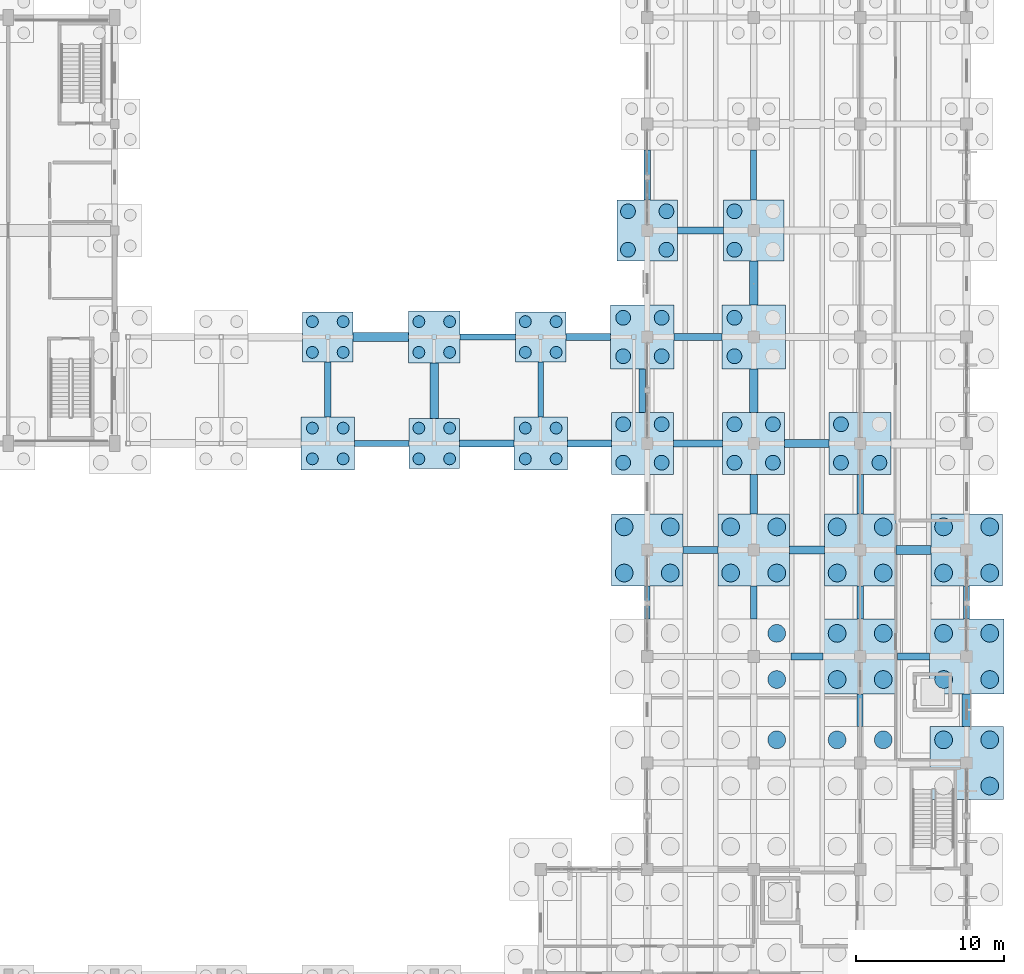
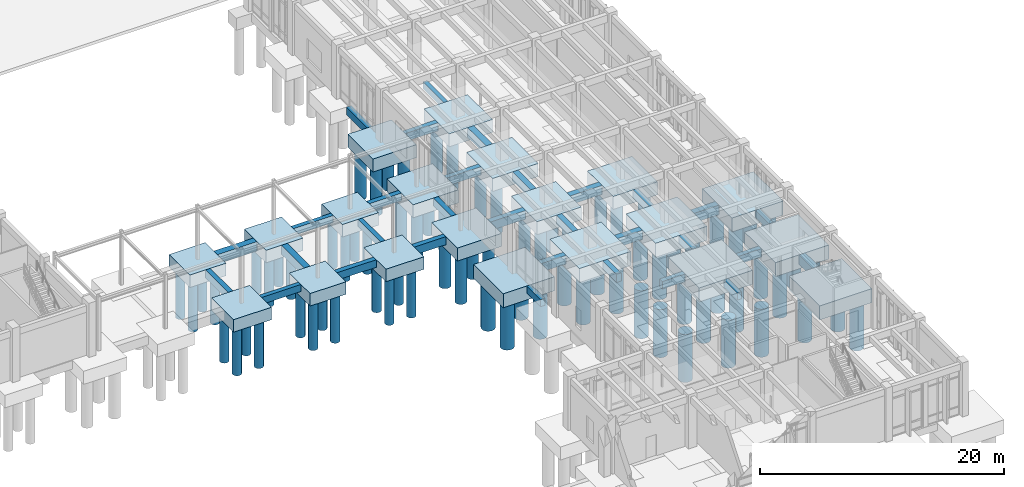
# One storey, part 9 of 93: 79 piles, 51 footings.
"""IFC4 building model written with IfcOpenShell, lengths in metres."""

from ifc_helpers import new_model, si_unit, direction, frame, origin, origin_2d, place, context, subcontext, project, spatial, rectangle, circle, extrude, material, material_profile, profile_set, type_object, element, save


model = new_model("IFC4")

# Units and contexts
model_context = context("Model", 3, precision=1e-05, world=origin(), true_north=direction((0.0, 1.0)))
body_context = subcontext(model_context, "Body", "Model", "MODEL_VIEW")
ifc_project = project(units=[si_unit("LENGTHUNIT", "METRE"), si_unit("AREAUNIT", "SQUARE_METRE"), si_unit("VOLUMEUNIT", "CUBIC_METRE"), si_unit("PLANEANGLEUNIT", "RADIAN"), si_unit("MASSUNIT", "GRAM", prefix="KILO")], contexts=[model_context])

# Site, building, storey
site_placement = place(None, origin())
site = spatial("IfcSite", under=ifc_project, at=site_placement, CompositionType="ELEMENT")
building_placement = place(site_placement, origin())
building = spatial("IfcBuilding", under=site, at=building_placement, Name="Koriwan Promenade Central Fire Station", CompositionType="ELEMENT")
storey_placement = place(building_placement, origin())
storey = spatial("IfcBuildingStorey", under=building, at=storey_placement, Name="L00", CompositionType="ELEMENT", Elevation=0.0)

# Piles
ifc_material = material(Name="Concrete C35/45", Category="concrete")
ifc_material_profile_1 = material_profile(ifc_material, circle(Radius=0.5, at=origin_2d()), Name="PILE-D1000")
ifc_profile_set_1 = profile_set([ifc_material_profile_1], Name="Concrete C35/45")
pile_type_1 = type_object("IfcPileType", Name="BoredPile_1000", PredefinedType="BORED", material=ifc_profile_set_1)
for number, where, z_axis, x_axis, name in (
    (1, (149.574951171875, 41.89990234375, -1.14990234375), (0.0, 0.0, -1.0), (1.0, 0.0, 0.0), "Bored pile PCAP_172-11"),
    (2, (149.574951171875, 44.5, -1.14990234375), (0.0, 0.0, -1.0), (1.0, 0.0, 0.0), "Bored pile PCAP_172-12"),
    (3, (152.175048828125, 41.89990234375, -1.14990234375), (0.0, 0.0, -1.0), (1.0, 0.0, 0.0), "Bored pile PCAP_172-21"),
    (4, (152.175048828125, 44.5, -1.14990234375), (0.0, 0.0, -1.0), (1.0, 0.0, 0.0), "Bored pile PCAP_172-22"),
    (5, (149.574951171875, 49.10009765625, -1.14990234375), (0.0, 0.0, -1.0), (1.0, 0.0, 0.0), "Bored pile PCAP_173-11"),
    (6, (149.574951171875, 51.699951171875, -1.14990234375), (0.0, 0.0, -1.0), (1.0, 0.0, 0.0), "Bored pile PCAP_173-12"),
    (7, (152.175048828125, 49.10009765625, -1.14990234375), (0.0, 0.0, -1.0), (1.0, 0.0, 0.0), "Bored pile PCAP_173-21"),
    (8, (152.175048828125, 51.699951171875, -1.14990234375), (0.0, 0.0, -1.0), (1.0, 0.0, 0.0), "Bored pile PCAP_173-22"),
    (9, (149.89990234375, 56.300048828125, -1.14990234375), (0.0, 0.0, -1.0), (1.0, 0.0, 0.0), "Bored pile PCAP_174-11"),
    (10, (149.89990234375, 58.89990234375, -1.14990234375), (0.0, 0.0, -1.0), (1.0, 0.0, 0.0), "Bored pile PCAP_174-12"),
    (11, (152.5, 56.300048828125, -1.14990234375), (0.0, 0.0, -1.0), (1.0, 0.0, 0.0), "Bored pile PCAP_174-21"),
    (12, (152.5, 58.89990234375, -1.14990234375), (0.0, 0.0, -1.0), (1.0, 0.0, 0.0), "Bored pile PCAP_174-22"),
    (13, (157.10009765625, 41.89990234375, -1.14990234375), (0.0, 0.0, -1.0), (1.0, 0.0, 0.0), "Bored pile PCAP_184-11"),
    (14, (157.10009765625, 44.5, -1.14990234375), (0.0, 0.0, -1.0), (1.0, 0.0, 0.0), "Bored pile PCAP_184-12"),
    (15, (159.699951171875, 41.89990234375, -1.14990234375), (0.0, 0.0, -1.0), (1.0, 0.0, 0.0), "Bored pile PCAP_184-21"),
    (16, (159.699951171875, 44.5, -1.14990234375), (0.0, 0.0, -1.0), (1.0, 0.0, 0.0), "Bored pile PCAP_184-22"),
    (17, (157.10009765625, 49.10009765625, -1.14990234375), (0.0, 0.0, -1.0), (1.0, 0.0, 0.0), "Bored pile PCAP_185-11"),
    (18, (157.10009765625, 51.699951171875, -1.14990234375), (0.0, 0.0, -1.0), (1.0, 0.0, 0.0), "Bored pile PCAP_185-12"),
    (19, (157.10009765625, 56.300048828125, -1.14990234375), (0.0, 0.0, -1.0), (1.0, 0.0, 0.0), "Bored pile PCAP_186-11"),
    (20, (157.10009765625, 58.89990234375, -1.14990234375), (0.0, 0.0, -1.0), (1.0, 0.0, 0.0), "Bored pile PCAP_186-12"),
    (21, (164.300048828125, 41.89990234375, -1.14990234375), (0.0, 0.0, -1.0), (1.0, 0.0, 0.0), "Bored pile PCAP_196-11"),
    (22, (164.300048828125, 44.5, -1.14990234375), (0.0, 0.0, -1.0), (1.0, 0.0, 0.0), "Bored pile PCAP_196-12"),
    (23, (166.89990234375, 41.89990234375, -1.14990234375), (0.0, 0.0, -1.0), (1.0, 0.0, 0.0), "Bored pile PCAP_196-21"),
):
    element("IfcPile", number, at=place(storey_placement, frame(where, z_axis=z_axis, x_axis=x_axis)), inside=storey, type_object=pile_type_1, Name=name, PredefinedType="BORED", context=body_context, shape_type="SweptSolid", body=[
        extrude(circle(Radius=0.5, at=origin_2d()), origin(), (0.0, 0.0, 1.0), 4.89990234375),
    ])
ifc_material_profile_2 = material_profile(ifc_material, circle(Radius=0.60009765625, at=origin_2d()), Name="PILE-D1200")
ifc_profile_set_2 = profile_set([ifc_material_profile_2], Name="Concrete C35/45")
pile_type_2 = type_object("IfcPileType", Name="BoredPile_1200", PredefinedType="BORED", material=ifc_profile_set_2)
for number, where, z_axis, x_axis, name in (
    (24, (149.639892578125, 34.43994140625, -1.25), (0.0, 0.0, -1.0), (1.0, 0.0, 0.0), "Bored pile PCAP_171-11"),
    (25, (149.639892578125, 37.56005859375, -1.25), (0.0, 0.0, -1.0), (1.0, 0.0, 0.0), "Bored pile PCAP_171-12"),
    (26, (152.760009765625, 34.43994140625, -1.25), (0.0, 0.0, -1.0), (1.0, 0.0, 0.0), "Bored pile PCAP_171-21"),
    (27, (152.760009765625, 37.56005859375, -1.25), (0.0, 0.0, -1.0), (1.0, 0.0, 0.0), "Bored pile PCAP_171-22"),
    (28, (159.9599609375, 23.159912109375, -1.25), (0.0, 0.0, -1.0), (1.0, 0.0, 0.0), "Bored pile PCAP_181-22"),
    (29, (159.9599609375, 27.239990234375, -1.25), (0.0, 0.0, -1.0), (1.0, 0.0, 0.0), "Bored pile PCAP_182-21"),
    (30, (159.9599609375, 30.360107421875, -1.25), (0.0, 0.0, -1.0), (1.0, 0.0, 0.0), "Bored pile PCAP_182-22"),
    (31, (156.840087890625, 34.43994140625, -1.25), (0.0, 0.0, -1.0), (1.0, 0.0, 0.0), "Bored pile PCAP_183-11"),
    (32, (156.840087890625, 37.56005859375, -1.25), (0.0, 0.0, -1.0), (1.0, 0.0, 0.0), "Bored pile PCAP_183-12"),
    (33, (159.9599609375, 34.43994140625, -1.25), (0.0, 0.0, -1.0), (1.0, 0.0, 0.0), "Bored pile PCAP_183-21"),
    (34, (159.9599609375, 37.56005859375, -1.25), (0.0, 0.0, -1.0), (1.0, 0.0, 0.0), "Bored pile PCAP_183-22"),
    (35, (164.0400390625, 23.159912109375, -1.25), (0.0, 0.0, -1.0), (1.0, 0.0, 0.0), "Bored pile PCAP_193-12"),
    (36, (167.159912109375, 23.159912109375, -1.25), (0.0, 0.0, -1.0), (1.0, 0.0, 0.0), "Bored pile PCAP_193-22"),
    (37, (164.0400390625, 27.239990234375, -1.25), (0.0, 0.0, -1.0), (1.0, 0.0, 0.0), "Bored pile PCAP_194-11"),
    (38, (164.0400390625, 30.360107421875, -1.25), (0.0, 0.0, -1.0), (1.0, 0.0, 0.0), "Bored pile PCAP_194-12"),
    (39, (167.159912109375, 27.239990234375, -1.25), (0.0, 0.0, -1.0), (1.0, 0.0, 0.0), "Bored pile PCAP_194-21"),
    (40, (167.159912109375, 30.360107421875, -1.25), (0.0, 0.0, -1.0), (1.0, 0.0, 0.0), "Bored pile PCAP_194-22"),
    (41, (164.0400390625, 34.43994140625, -1.25), (0.0, 0.0, -1.0), (1.0, 0.0, 0.0), "Bored pile PCAP_195-11"),
    (42, (164.0400390625, 37.56005859375, -1.25), (0.0, 0.0, -1.0), (1.0, 0.0, 0.0), "Bored pile PCAP_195-12"),
    (43, (167.159912109375, 34.43994140625, -1.25), (0.0, 0.0, -1.0), (1.0, 0.0, 0.0), "Bored pile PCAP_195-21"),
    (44, (167.159912109375, 37.56005859375, -1.25), (0.0, 0.0, -1.0), (1.0, 0.0, 0.0), "Bored pile PCAP_195-22"),
    (45, (171.239990234375, 23.159912109375, -1.25), (0.0, 0.0, -1.0), (1.0, 0.0, 0.0), "Bored pile PCAP_205-12"),
    (46, (174.360107421875, 20.0400390625, -1.25), (0.0, 0.0, -1.0), (1.0, 0.0, 0.0), "Bored pile PCAP_205-21"),
    (47, (174.360107421875, 23.159912109375, -1.25), (0.0, 0.0, -1.0), (1.0, 0.0, 0.0), "Bored pile PCAP_205-22"),
    (48, (171.239990234375, 27.239990234375, -1.25), (0.0, 0.0, -1.0), (1.0, 0.0, 0.0), "Bored pile PCAP_206-11"),
    (49, (171.239990234375, 30.360107421875, -1.25), (0.0, 0.0, -1.0), (1.0, 0.0, 0.0), "Bored pile PCAP_206-12"),
    (50, (174.360107421875, 27.239990234375, -1.25), (0.0, 0.0, -1.0), (1.0, 0.0, 0.0), "Bored pile PCAP_206-21"),
    (51, (174.360107421875, 30.360107421875, -1.25), (0.0, 0.0, -1.0), (1.0, 0.0, 0.0), "Bored pile PCAP_206-22"),
    (52, (171.239990234375, 34.43994140625, -1.25), (0.0, 0.0, -1.0), (1.0, 0.0, 0.0), "Bored pile PCAP_207-11"),
    (53, (171.239990234375, 37.56005859375, -1.25), (0.0, 0.0, -1.0), (1.0, 0.0, 0.0), "Bored pile PCAP_207-12"),
    (54, (174.360107421875, 34.43994140625, -1.25), (0.0, 0.0, -1.0), (1.0, 0.0, 0.0), "Bored pile PCAP_207-21"),
    (55, (174.360107421875, 37.56005859375, -1.25), (0.0, 0.0, -1.0), (1.0, 0.0, 0.0), "Bored pile PCAP_207-22"),
):
    element("IfcPile", number, at=place(storey_placement, frame(where, z_axis=z_axis, x_axis=x_axis)), inside=storey, type_object=pile_type_2, Name=name, PredefinedType="BORED", context=body_context, shape_type="SweptSolid", body=[
        extrude(circle(Radius=0.60009765625, at=origin_2d()), origin(), (0.0, 0.0, 1.0), 4.800048828125),
    ])
ifc_material_profile_3 = material_profile(ifc_material, circle(Radius=0.39990234375, at=origin_2d()), Name="PILE-D800")
ifc_profile_set_3 = profile_set([ifc_material_profile_3], Name="Concrete C35/45")
pile_type_3 = type_object("IfcPileType", Name="BoredPile_800", PredefinedType="BORED", material=ifc_profile_set_3)
for number, where, z_axis, x_axis, name in (
    (56, (128.56005859375, 42.159912109375, -1.10009765625), (0.0, 0.0, -1.0), (1.0, 0.0, 0.0), "Bored pile PCAP_155-11"),
    (57, (128.56005859375, 44.239990234375, -1.10009765625), (0.0, 0.0, -1.0), (1.0, 0.0, 0.0), "Bored pile PCAP_155-12"),
    (58, (130.639892578125, 42.159912109375, -1.10009765625), (0.0, 0.0, -1.0), (1.0, 0.0, 0.0), "Bored pile PCAP_155-21"),
    (59, (130.639892578125, 44.239990234375, -1.10009765625), (0.0, 0.0, -1.0), (1.0, 0.0, 0.0), "Bored pile PCAP_155-22"),
    (60, (128.56005859375, 49.360107421875, -1.10009765625), (0.0, 0.0, -1.0), (1.0, 0.0, 0.0), "Bored pile PCAP_156-11"),
    (61, (128.56005859375, 51.43994140625, -1.10009765625), (0.0, 0.0, -1.0), (1.0, 0.0, 0.0), "Bored pile PCAP_156-12"),
    (62, (130.639892578125, 49.360107421875, -1.10009765625), (0.0, 0.0, -1.0), (1.0, 0.0, 0.0), "Bored pile PCAP_156-21"),
    (63, (130.639892578125, 51.43994140625, -1.10009765625), (0.0, 0.0, -1.0), (1.0, 0.0, 0.0), "Bored pile PCAP_156-22"),
    (64, (135.760009765625, 42.159912109375, -1.10009765625), (0.0, 0.0, -1.0), (1.0, 0.0, 0.0), "Bored pile PCAP_159-11"),
    (65, (135.760009765625, 44.239990234375, -1.10009765625), (0.0, 0.0, -1.0), (1.0, 0.0, 0.0), "Bored pile PCAP_159-12"),
    (66, (137.840087890625, 42.159912109375, -1.10009765625), (0.0, 0.0, -1.0), (1.0, 0.0, 0.0), "Bored pile PCAP_159-21"),
    (67, (137.840087890625, 44.239990234375, -1.10009765625), (0.0, 0.0, -1.0), (1.0, 0.0, 0.0), "Bored pile PCAP_159-22"),
    (68, (135.760009765625, 49.360107421875, -1.10009765625), (0.0, 0.0, -1.0), (1.0, 0.0, 0.0), "Bored pile PCAP_160-11"),
    (69, (135.760009765625, 51.43994140625, -1.10009765625), (0.0, 0.0, -1.0), (1.0, 0.0, 0.0), "Bored pile PCAP_160-12"),
    (70, (137.840087890625, 49.360107421875, -1.10009765625), (0.0, 0.0, -1.0), (1.0, 0.0, 0.0), "Bored pile PCAP_160-21"),
    (71, (137.840087890625, 51.43994140625, -1.10009765625), (0.0, 0.0, -1.0), (1.0, 0.0, 0.0), "Bored pile PCAP_160-22"),
    (72, (142.9599609375, 42.159912109375, -1.10009765625), (0.0, 0.0, -1.0), (1.0, 0.0, 0.0), "Bored pile PCAP_164-11"),
    (73, (142.9599609375, 44.239990234375, -1.10009765625), (0.0, 0.0, -1.0), (1.0, 0.0, 0.0), "Bored pile PCAP_164-12"),
    (74, (145.0400390625, 42.159912109375, -1.10009765625), (0.0, 0.0, -1.0), (1.0, 0.0, 0.0), "Bored pile PCAP_164-21"),
    (75, (145.0400390625, 44.239990234375, -1.10009765625), (0.0, 0.0, -1.0), (1.0, 0.0, 0.0), "Bored pile PCAP_164-22"),
    (76, (142.9599609375, 49.360107421875, -1.10009765625), (0.0, 0.0, -1.0), (1.0, 0.0, 0.0), "Bored pile PCAP_165-11"),
    (77, (142.9599609375, 51.43994140625, -1.10009765625), (0.0, 0.0, -1.0), (1.0, 0.0, 0.0), "Bored pile PCAP_165-12"),
    (78, (145.0400390625, 49.360107421875, -1.10009765625), (0.0, 0.0, -1.0), (1.0, 0.0, 0.0), "Bored pile PCAP_165-21"),
    (79, (145.0400390625, 51.43994140625, -1.10009765625), (0.0, 0.0, -1.0), (1.0, 0.0, 0.0), "Bored pile PCAP_165-22"),
):
    element("IfcPile", number, at=place(storey_placement, frame(where, z_axis=z_axis, x_axis=x_axis)), inside=storey, type_object=pile_type_3, Name=name, PredefinedType="BORED", context=body_context, shape_type="SweptSolid", body=[
        extrude(circle(Radius=0.39990234375, at=origin_2d()), origin(), (0.0, 0.0, 1.0), 4.949951171875),
    ])

# Footings
footing_type_1 = type_object("IfcFootingType", Name="GroundTieBeam_400x700", PredefinedType="FOOTING_BEAM", material=ifc_material)
footing_1_placement = place(storey_placement, frame((133.25, 43.199951171875, -0.7001953125), z_axis=(0.0, 0.0, 1.0), x_axis=(1.0, 0.0, 0.0)))
element("IfcFooting", 80, at=footing_1_placement, inside=storey, type_object=footing_type_1, Name="Seismic tie beam X-090", PredefinedType="FOOTING_BEAM", context=body_context, shape_type="SweptSolid", body=[
    extrude(rectangle(XDim=3.699951171875, YDim=0.39990234375, at=origin_2d()), origin(), (0.0, 0.0, 1.0), 0.699951171875),
])
footing_2_placement = place(storey_placement, frame((140.425048828125, 50.39990234375, -0.7001953125), z_axis=(0.0, 0.0, 1.0), x_axis=(1.0, 0.0, 0.0)))
element("IfcFooting", 81, at=footing_2_placement, inside=storey, type_object=footing_type_1, Name="Seismic tie beam X-108", PredefinedType="FOOTING_BEAM", context=body_context, shape_type="SweptSolid", body=[
    extrude(rectangle(XDim=3.75, YDim=0.39990234375, at=origin_2d()), origin(), (0.0, 0.0, 1.0), 0.699951171875),
])
footing_3_placement = place(storey_placement, frame((144.0, 46.85009765625, -0.7001953125), z_axis=(0.0, 0.0, 1.0), x_axis=(0.0, 1.0, 0.0)))
element("IfcFooting", 82, at=footing_3_placement, inside=storey, type_object=footing_type_1, Name="Seismic tie beam Y-282", PredefinedType="FOOTING_BEAM", context=body_context, shape_type="SweptSolid", body=[
    extrude(rectangle(XDim=3.699951171875, YDim=0.39990234375, at=origin_2d()), origin(), (0.0, 0.0, 1.0), 0.699951171875),
])
footing_4_placement = place(storey_placement, frame((151.199951171875, 32.449951171875, -0.7001953125), z_axis=(0.0, 0.0, 1.0), x_axis=(0.0, 1.0, 0.0)))
element("IfcFooting", 83, at=footing_4_placement, inside=storey, type_object=footing_type_1, Name="Seismic tie beam Y-288", PredefinedType="FOOTING_BEAM", context=body_context, shape_type="SweptSolid", body=[
    extrude(rectangle(XDim=2.25, YDim=0.39990234375, at=origin_2d()), origin(), (0.0, 0.0, 1.0), 0.699951171875),
])
footing_5_placement = place(storey_placement, frame((158.39990234375, 61.35009765625, -0.7001953125), z_axis=(0.0, 0.0, 1.0), x_axis=(0.0, 1.0, 0.0)))
element("IfcFooting", 84, at=footing_5_placement, inside=storey, type_object=footing_type_1, Name="Seismic tie beam Y-300", PredefinedType="FOOTING_BEAM", context=body_context, shape_type="SweptSolid", body=[
    extrude(rectangle(XDim=3.39990234375, YDim=0.39990234375, at=origin_2d()), origin(), (0.0, 0.0, 1.0), 0.699951171875),
])
footing_6_placement = place(storey_placement, frame((165.60009765625, 25.175048828125, -0.7001953125), z_axis=(0.0, 0.0, 1.0), x_axis=(0.0, 1.0, 0.0)))
element("IfcFooting", 85, at=footing_6_placement, inside=storey, type_object=footing_type_1, Name="Seismic tie beam Y-306", PredefinedType="FOOTING_BEAM", context=body_context, shape_type="SweptSolid", body=[
    extrude(rectangle(XDim=2.199951171875, YDim=0.39990234375, at=origin_2d()), origin(), (0.0, 0.0, 1.0), 0.699951171875),
])
footing_7_placement = place(storey_placement, frame((172.800048828125, 32.449951171875, -0.7001953125), z_axis=(0.0, 0.0, 1.0), x_axis=(0.0, 1.0, 0.0)))
element("IfcFooting", 86, at=footing_7_placement, inside=storey, type_object=footing_type_1, Name="Seismic tie beam Y-318", PredefinedType="FOOTING_BEAM", context=body_context, shape_type="SweptSolid", body=[
    extrude(rectangle(XDim=2.25, YDim=0.39990234375, at=origin_2d()), origin(), (0.0, 0.0, 1.0), 0.699951171875),
])
footing_type_2 = type_object("IfcFootingType", Name="GroundTieBeam_450x750", PredefinedType="FOOTING_BEAM", material=ifc_material)
footing_8_placement = place(storey_placement, frame((162.0, 28.800048828125, -0.75), z_axis=(0.0, 0.0, 1.0), x_axis=(1.0, 0.0, 0.0)))
element("IfcFooting", 87, at=footing_8_placement, inside=storey, type_object=footing_type_2, Name="Seismic tie beam X-067", PredefinedType="FOOTING_BEAM", context=body_context, shape_type="SweptSolid", body=[
    extrude(rectangle(XDim=2.14990234375, YDim=0.449951171875, at=origin_2d()), origin(), (0.0, 0.0, 1.0), 0.75),
])
footing_9_placement = place(storey_placement, frame((140.35009765625, 43.199951171875, -0.75), z_axis=(0.0, 0.0, 1.0), x_axis=(1.0, 0.0, 0.0)))
element("IfcFooting", 88, at=footing_9_placement, inside=storey, type_object=footing_type_2, Name="Seismic tie beam X-091", PredefinedType="FOOTING_BEAM", context=body_context, shape_type="SweptSolid", body=[
    extrude(rectangle(XDim=3.699951171875, YDim=0.449951171875, at=origin_2d()), origin(), (0.0, 0.0, 1.0), 0.75),
])
footing_10_placement = place(storey_placement, frame((147.21240234375, 50.39990234375, -0.75), z_axis=(0.0, 0.0, 1.0), x_axis=(1.0, 0.0, 0.0)))
element("IfcFooting", 89, at=footing_10_placement, inside=storey, type_object=footing_type_2, Name="Seismic tie beam X-109", PredefinedType="FOOTING_BEAM", context=body_context, shape_type="SweptSolid", body=[
    extrude(rectangle(XDim=3.02490234375, YDim=0.449951171875, at=origin_2d()), origin(), (0.0, 0.0, 1.0), 0.75),
])
footing_11_placement = place(storey_placement, frame((150.875, 46.77490234375, -0.75), z_axis=(0.0, 0.0, 1.0), x_axis=(0.0, 1.0, 0.0)))
element("IfcFooting", 90, at=footing_11_placement, inside=storey, type_object=footing_type_2, Name="Seismic tie beam Y-283", PredefinedType="FOOTING_BEAM", context=body_context, shape_type="SweptSolid", body=[
    extrude(rectangle(XDim=2.949951171875, YDim=0.449951171875, at=origin_2d()), origin(), (0.0, 0.0, 1.0), 0.75),
])
footing_12_placement = place(storey_placement, frame((151.199951171875, 61.35009765625, -0.75), z_axis=(0.0, 0.0, 1.0), x_axis=(0.0, 1.0, 0.0)))
element("IfcFooting", 91, at=footing_12_placement, inside=storey, type_object=footing_type_2, Name="Seismic tie beam Y-289", PredefinedType="FOOTING_BEAM", context=body_context, shape_type="SweptSolid", body=[
    extrude(rectangle(XDim=3.39990234375, YDim=0.449951171875, at=origin_2d()), origin(), (0.0, 0.0, 1.0), 0.75),
])
footing_13_placement = place(storey_placement, frame((165.60009765625, 32.449951171875, -0.75), z_axis=(0.0, 0.0, 1.0), x_axis=(0.0, 1.0, 0.0)))
element("IfcFooting", 92, at=footing_13_placement, inside=storey, type_object=footing_type_2, Name="Seismic tie beam Y-307", PredefinedType="FOOTING_BEAM", context=body_context, shape_type="SweptSolid", body=[
    extrude(rectangle(XDim=2.25, YDim=0.449951171875, at=origin_2d()), origin(), (0.0, 0.0, 1.0), 0.75),
])
footing_type_3 = type_object("IfcFootingType", Name="GroundTieBeam_450x800", PredefinedType="FOOTING_BEAM", material=ifc_material)
footing_14_placement = place(storey_placement, frame((169.199951171875, 28.800048828125, -0.7998046875), z_axis=(0.0, 0.0, 1.0), x_axis=(1.0, 0.0, 0.0)))
element("IfcFooting", 93, at=footing_14_placement, inside=storey, type_object=footing_type_3, Name="Seismic tie beam X-068", PredefinedType="FOOTING_BEAM", context=body_context, shape_type="SweptSolid", body=[
    extrude(rectangle(XDim=2.14990234375, YDim=0.449951171875, at=origin_2d()), origin(), (0.0, 0.0, 1.0), 0.800048828125),
])
footing_15_placement = place(storey_placement, frame((147.28759765625, 43.199951171875, -0.7998046875), z_axis=(0.0, 0.0, 1.0), x_axis=(1.0, 0.0, 0.0)))
element("IfcFooting", 94, at=footing_15_placement, inside=storey, type_object=footing_type_3, Name="Seismic tie beam X-092", PredefinedType="FOOTING_BEAM", context=body_context, shape_type="SweptSolid", body=[
    extrude(rectangle(XDim=2.97509765625, YDim=0.449951171875, at=origin_2d()), origin(), (0.0, 0.0, 1.0), 0.800048828125),
])
footing_16_placement = place(storey_placement, frame((154.637451171875, 50.39990234375, -0.7998046875), z_axis=(0.0, 0.0, 1.0), x_axis=(1.0, 0.0, 0.0)))
element("IfcFooting", 95, at=footing_16_placement, inside=storey, type_object=footing_type_3, Name="Seismic tie beam X-110", PredefinedType="FOOTING_BEAM", context=body_context, shape_type="SweptSolid", body=[
    extrude(rectangle(XDim=3.22509765625, YDim=0.449951171875, at=origin_2d()), origin(), (0.0, 0.0, 1.0), 0.800048828125),
])
footing_17_placement = place(storey_placement, frame((154.800048828125, 57.60009765625, -0.7998046875), z_axis=(0.0, 0.0, 1.0), x_axis=(1.0, 0.0, 0.0)))
element("IfcFooting", 96, at=footing_17_placement, inside=storey, type_object=footing_type_3, Name="Seismic tie beam X-122", PredefinedType="FOOTING_BEAM", context=body_context, shape_type="SweptSolid", body=[
    extrude(rectangle(XDim=3.10009765625, YDim=0.449951171875, at=origin_2d()), origin(), (0.0, 0.0, 1.0), 0.800048828125),
])
footing_18_placement = place(storey_placement, frame((129.60009765625, 46.85009765625, -0.7998046875), z_axis=(0.0, 0.0, 1.0), x_axis=(0.0, 1.0, 0.0)))
element("IfcFooting", 97, at=footing_18_placement, inside=storey, type_object=footing_type_3, Name="Seismic tie beam Y-278", PredefinedType="FOOTING_BEAM", context=body_context, shape_type="SweptSolid", body=[
    extrude(rectangle(XDim=3.699951171875, YDim=0.449951171875, at=origin_2d()), origin(), (0.0, 0.0, 1.0), 0.800048828125),
])
footing_19_placement = place(storey_placement, frame((158.39990234375, 32.449951171875, -0.7998046875), z_axis=(0.0, 0.0, 1.0), x_axis=(0.0, 1.0, 0.0)))
element("IfcFooting", 98, at=footing_19_placement, inside=storey, type_object=footing_type_3, Name="Seismic tie beam Y-296", PredefinedType="FOOTING_BEAM", context=body_context, shape_type="SweptSolid", body=[
    extrude(rectangle(XDim=2.25, YDim=0.449951171875, at=origin_2d()), origin(), (0.0, 0.0, 1.0), 0.800048828125),
])
footing_20_placement = place(storey_placement, frame((165.60009765625, 39.762451171875, -0.7998046875), z_axis=(0.0, 0.0, 1.0), x_axis=(0.0, 1.0, 0.0)))
element("IfcFooting", 99, at=footing_20_placement, inside=storey, type_object=footing_type_3, Name="Seismic tie beam Y-308", PredefinedType="FOOTING_BEAM", context=body_context, shape_type="SweptSolid", body=[
    extrude(rectangle(XDim=2.675048828125, YDim=0.449951171875, at=origin_2d()), origin(), (0.0, 0.0, 1.0), 0.800048828125),
])
footing_type_4 = type_object("IfcFootingType", Name="GroundTieBeam_500x850", PredefinedType="FOOTING_BEAM", material=ifc_material)
footing_21_placement = place(storey_placement, frame((154.800048828125, 36.0, -0.85009765625), z_axis=(0.0, 0.0, 1.0), x_axis=(1.0, 0.0, 0.0)))
element("IfcFooting", 100, at=footing_21_placement, inside=storey, type_object=footing_type_4, Name="Seismic tie beam X-069", PredefinedType="FOOTING_BEAM", context=body_context, shape_type="SweptSolid", body=[
    extrude(rectangle(XDim=2.35009765625, YDim=0.5, at=origin_2d()), origin(), (0.0, 0.0, 1.0), 0.85009765625),
])
footing_22_placement = place(storey_placement, frame((154.637451171875, 43.199951171875, -0.85009765625), z_axis=(0.0, 0.0, 1.0), x_axis=(1.0, 0.0, 0.0)))
element("IfcFooting", 101, at=footing_22_placement, inside=storey, type_object=footing_type_4, Name="Seismic tie beam X-093", PredefinedType="FOOTING_BEAM", context=body_context, shape_type="SweptSolid", body=[
    extrude(rectangle(XDim=3.324951171875, YDim=0.5, at=origin_2d()), origin(), (0.0, 0.0, 1.0), 0.85009765625),
])
footing_23_placement = place(storey_placement, frame((158.39990234375, 39.762451171875, -0.85009765625), z_axis=(0.0, 0.0, 1.0), x_axis=(0.0, 1.0, 0.0)))
element("IfcFooting", 102, at=footing_23_placement, inside=storey, type_object=footing_type_4, Name="Seismic tie beam Y-297", PredefinedType="FOOTING_BEAM", context=body_context, shape_type="SweptSolid", body=[
    extrude(rectangle(XDim=2.675048828125, YDim=0.5, at=origin_2d()), origin(), (0.0, 0.0, 1.0), 0.85009765625),
])
footing_type_5 = type_object("IfcFootingType", Name="GroundTieBeam_550x900", PredefinedType="FOOTING_BEAM", material=ifc_material)
footing_24_placement = place(storey_placement, frame((162.0, 36.0, -0.89990234375), z_axis=(0.0, 0.0, 1.0), x_axis=(1.0, 0.0, 0.0)))
element("IfcFooting", 103, at=footing_24_placement, inside=storey, type_object=footing_type_5, Name="Seismic tie beam X-070", PredefinedType="FOOTING_BEAM", context=body_context, shape_type="SweptSolid", body=[
    extrude(rectangle(XDim=2.35009765625, YDim=0.550048828125, at=origin_2d()), origin(), (0.0, 0.0, 1.0), 0.89990234375),
])
footing_25_placement = place(storey_placement, frame((162.0, 43.199951171875, -0.89990234375), z_axis=(0.0, 0.0, 1.0), x_axis=(1.0, 0.0, 0.0)))
element("IfcFooting", 104, at=footing_25_placement, inside=storey, type_object=footing_type_5, Name="Seismic tie beam X-094", PredefinedType="FOOTING_BEAM", context=body_context, shape_type="SweptSolid", body=[
    extrude(rectangle(XDim=3.0, YDim=0.550048828125, at=origin_2d()), origin(), (0.0, 0.0, 1.0), 0.89990234375),
])
footing_26_placement = place(storey_placement, frame((136.800048828125, 46.77490234375, -0.89990234375), z_axis=(0.0, 0.0, 1.0), x_axis=(0.0, 1.0, 0.0)))
element("IfcFooting", 105, at=footing_26_placement, inside=storey, type_object=footing_type_5, Name="Seismic tie beam Y-280", PredefinedType="FOOTING_BEAM", context=body_context, shape_type="SweptSolid", body=[
    extrude(rectangle(XDim=3.75, YDim=0.550048828125, at=origin_2d()), origin(), (0.0, 0.0, 1.0), 0.89990234375),
])
footing_27_placement = place(storey_placement, frame((158.39990234375, 46.77490234375, -0.89990234375), z_axis=(0.0, 0.0, 1.0), x_axis=(0.0, 1.0, 0.0)))
element("IfcFooting", 106, at=footing_27_placement, inside=storey, type_object=footing_type_5, Name="Seismic tie beam Y-298", PredefinedType="FOOTING_BEAM", context=body_context, shape_type="SweptSolid", body=[
    extrude(rectangle(XDim=2.949951171875, YDim=0.550048828125, at=origin_2d()), origin(), (0.0, 0.0, 1.0), 0.89990234375),
])
footing_type_6 = type_object("IfcFootingType", Name="GroundTieBeam_600x950", PredefinedType="FOOTING_BEAM", material=ifc_material)
footing_28_placement = place(storey_placement, frame((169.199951171875, 36.0, -0.9501953125), z_axis=(0.0, 0.0, 1.0), x_axis=(1.0, 0.0, 0.0)))
element("IfcFooting", 107, at=footing_28_placement, inside=storey, type_object=footing_type_6, Name="Seismic tie beam X-071", PredefinedType="FOOTING_BEAM", context=body_context, shape_type="SweptSolid", body=[
    extrude(rectangle(XDim=2.35009765625, YDim=0.60009765625, at=origin_2d()), origin(), (0.0, 0.0, 1.0), 0.949951171875),
])
footing_29_placement = place(storey_placement, frame((133.175048828125, 50.39990234375, -0.9501953125), z_axis=(0.0, 0.0, 1.0), x_axis=(1.0, 0.0, 0.0)))
element("IfcFooting", 108, at=footing_29_placement, inside=storey, type_object=footing_type_6, Name="Seismic tie beam X-107", PredefinedType="FOOTING_BEAM", context=body_context, shape_type="SweptSolid", body=[
    extrude(rectangle(XDim=3.75, YDim=0.60009765625, at=origin_2d()), origin(), (0.0, 0.0, 1.0), 0.949951171875),
])
footing_30_placement = place(storey_placement, frame((158.39990234375, 54.050048828125, -0.9501953125), z_axis=(0.0, 0.0, 1.0), x_axis=(0.0, 1.0, 0.0)))
element("IfcFooting", 109, at=footing_30_placement, inside=storey, type_object=footing_type_6, Name="Seismic tie beam Y-299", PredefinedType="FOOTING_BEAM", context=body_context, shape_type="SweptSolid", body=[
    extrude(rectangle(XDim=3.0, YDim=0.60009765625, at=origin_2d()), origin(), (0.0, 0.0, 1.0), 0.949951171875),
])
footing_31_placement = place(storey_placement, frame((172.800048828125, 25.175048828125, -0.9501953125), z_axis=(0.0, 0.0, 1.0), x_axis=(0.0, 1.0, 0.0)))
element("IfcFooting", 110, at=footing_31_placement, inside=storey, type_object=footing_type_6, Name="Seismic tie beam Y-317", PredefinedType="FOOTING_BEAM", context=body_context, shape_type="SweptSolid", body=[
    extrude(rectangle(XDim=2.199951171875, YDim=0.60009765625, at=origin_2d()), origin(), (0.0, 0.0, 1.0), 0.949951171875),
])
footing_type_7 = type_object("IfcFootingType", Name="PileCap_3400x3400x1250", PredefinedType="PILE_CAP", material=ifc_material)
for number, where, z_axis, x_axis, name in (
    (111, (129.60009765625, 50.39990234375, -1.25), (0.0, 0.0, 1.0), (1.0, 0.0, 0.0), "Pile cap PCAP_156 (3400x3400x1250)"),
    (112, (136.800048828125, 43.199951171875, -1.25), (0.0, 0.0, 1.0), (1.0, 0.0, 0.0), "Pile cap PCAP_159 (3400x3400x1250)"),
    (113, (144.0, 50.39990234375, -1.25), (0.0, 0.0, 1.0), (1.0, 0.0, 0.0), "Pile cap PCAP_165 (3400x3400x1250)"),
):
    element("IfcFooting", number, at=place(storey_placement, frame(where, z_axis=z_axis, x_axis=x_axis)), inside=storey, type_object=footing_type_7, Name=name, PredefinedType="PILE_CAP", context=body_context, shape_type="SweptSolid", body=[
        extrude(rectangle(XDim=3.39990234375, YDim=3.39990234375, at=origin_2d()), origin(), (0.0, 0.0, 1.0), 1.25),
    ])
footing_type_8 = type_object("IfcFootingType", Name="PileCap_3500x3500x1250", PredefinedType="PILE_CAP", material=ifc_material)
footing_32_placement = place(storey_placement, frame((136.800048828125, 50.39990234375, -1.25), z_axis=(0.0, 0.0, 1.0), x_axis=(1.0, 0.0, 0.0)))
element("IfcFooting", 114, at=footing_32_placement, inside=storey, type_object=footing_type_8, Name="Pile cap PCAP_160 (3500x3500x1250)", PredefinedType="PILE_CAP", context=body_context, shape_type="SweptSolid", body=[
    extrude(rectangle(XDim=3.5, YDim=3.5, at=origin_2d()), origin(), (0.0, 0.0, 1.0), 1.25),
])
footing_type_9 = type_object("IfcFootingType", Name="PileCap_3600x3600x1250", PredefinedType="PILE_CAP", material=ifc_material)
for number, where, z_axis, x_axis, name in (
    (115, (129.60009765625, 43.199951171875, -1.25), (0.0, 0.0, 1.0), (1.0, 0.0, 0.0), "Pile cap PCAP_155 (3600x3600x1250)"),
    (116, (144.0, 43.199951171875, -1.25), (0.0, 0.0, 1.0), (1.0, 0.0, 0.0), "Pile cap PCAP_164 (3600x3600x1250)"),
):
    element("IfcFooting", number, at=place(storey_placement, frame(where, z_axis=z_axis, x_axis=x_axis)), inside=storey, type_object=footing_type_9, Name=name, PredefinedType="PILE_CAP", context=body_context, shape_type="SweptSolid", body=[
        extrude(rectangle(XDim=3.60009765625, YDim=3.60009765625, at=origin_2d()), origin(), (0.0, 0.0, 1.0), 1.25),
    ])
footing_type_10 = type_object("IfcFootingType", Name="PileCap_4100x4100x1300", PredefinedType="PILE_CAP", material=ifc_material)
for number, where, z_axis, x_axis, name in (
    (117, (151.199951171875, 57.60009765625, -1.2998046875), (0.0, 0.0, 1.0), (1.0, 0.0, 0.0), "Pile cap PCAP_174 (4100x4100x1300)"),
    (118, (158.39990234375, 57.60009765625, -1.2998046875), (0.0, 0.0, 1.0), (1.0, 0.0, 0.0), "Pile cap PCAP_186 (4100x4100x1300)"),
):
    element("IfcFooting", number, at=place(storey_placement, frame(where, z_axis=z_axis, x_axis=x_axis)), inside=storey, type_object=footing_type_10, Name=name, PredefinedType="PILE_CAP", context=body_context, shape_type="SweptSolid", body=[
        extrude(rectangle(XDim=4.10009765625, YDim=4.10009765625, at=origin_2d()), origin(), (0.0, 0.0, 1.0), 1.300048828125),
    ])
footing_type_11 = type_object("IfcFootingType", Name="PileCap_4200x4200x1300", PredefinedType="PILE_CAP", material=ifc_material)
for number, where, z_axis, x_axis, name in (
    (119, (150.875, 43.199951171875, -1.2998046875), (0.0, 0.0, 1.0), (1.0, 0.0, 0.0), "Pile cap PCAP_172 (4200x4200x1300)"),
    (120, (158.39990234375, 43.199951171875, -1.2998046875), (0.0, 0.0, 1.0), (1.0, 0.0, 0.0), "Pile cap PCAP_184 (4200x4200x1300)"),
    (121, (165.60009765625, 43.199951171875, -1.2998046875), (0.0, 0.0, 1.0), (1.0, 0.0, 0.0), "Pile cap PCAP_196 (4200x4200x1300)"),
):
    element("IfcFooting", number, at=place(storey_placement, frame(where, z_axis=z_axis, x_axis=x_axis)), inside=storey, type_object=footing_type_11, Name=name, PredefinedType="PILE_CAP", context=body_context, shape_type="SweptSolid", body=[
        extrude(rectangle(XDim=4.199951171875, YDim=4.199951171875, at=origin_2d()), origin(), (0.0, 0.0, 1.0), 1.300048828125),
    ])
footing_type_12 = type_object("IfcFootingType", Name="PileCap_4300x4300x1300", PredefinedType="PILE_CAP", material=ifc_material)
for number, where, z_axis, x_axis, name in (
    (122, (150.875, 50.39990234375, -1.2998046875), (0.0, 0.0, 1.0), (1.0, 0.0, 0.0), "Pile cap PCAP_173 (4300x4300x1300)"),
    (123, (158.39990234375, 50.39990234375, -1.2998046875), (0.0, 0.0, 1.0), (1.0, 0.0, 0.0), "Pile cap PCAP_185 (4300x4300x1300)"),
):
    element("IfcFooting", number, at=place(storey_placement, frame(where, z_axis=z_axis, x_axis=x_axis)), inside=storey, type_object=footing_type_12, Name=name, PredefinedType="PILE_CAP", context=body_context, shape_type="SweptSolid", body=[
        extrude(rectangle(XDim=4.300048828125, YDim=4.300048828125, at=origin_2d()), origin(), (0.0, 0.0, 1.0), 1.300048828125),
    ])
footing_type_13 = type_object("IfcFootingType", Name="PileCap_4850x4850x1400", PredefinedType="PILE_CAP", material=ifc_material)
for number, where, z_axis, x_axis, name in (
    (124, (151.199951171875, 36.0, -1.39990234375), (0.0, 0.0, 1.0), (1.0, 0.0, 0.0), "Pile cap PCAP_171 (4850x4850x1400)"),
    (125, (158.39990234375, 36.0, -1.39990234375), (0.0, 0.0, 1.0), (1.0, 0.0, 0.0), "Pile cap PCAP_183 (4850x4850x1400)"),
    (126, (165.60009765625, 36.0, -1.39990234375), (0.0, 0.0, 1.0), (1.0, 0.0, 0.0), "Pile cap PCAP_195 (4850x4850x1400)"),
    (127, (172.800048828125, 36.0, -1.39990234375), (0.0, 0.0, 1.0), (1.0, 0.0, 0.0), "Pile cap PCAP_207 (4850x4850x1400)"),
):
    element("IfcFooting", number, at=place(storey_placement, frame(where, z_axis=z_axis, x_axis=x_axis)), inside=storey, type_object=footing_type_13, Name=name, PredefinedType="PILE_CAP", context=body_context, shape_type="SweptSolid", body=[
        extrude(rectangle(XDim=4.85009765625, YDim=4.85009765625, at=origin_2d()), origin(), (0.0, 0.0, 1.0), 1.39990234375),
    ])
footing_type_14 = type_object("IfcFootingType", Name="PileCap_4950x4950x1400", PredefinedType="PILE_CAP", material=ifc_material)
footing_33_placement = place(storey_placement, frame((172.800048828125, 21.60009765625, -1.39990234375), z_axis=(0.0, 0.0, 1.0), x_axis=(1.0, 0.0, 0.0)))
element("IfcFooting", 128, at=footing_33_placement, inside=storey, type_object=footing_type_14, Name="Pile cap PCAP_205 (4950x4950x1400)", PredefinedType="PILE_CAP", context=body_context, shape_type="SweptSolid", body=[
    extrude(rectangle(XDim=4.949951171875, YDim=4.949951171875, at=origin_2d()), origin(), (0.0, 0.0, 1.0), 1.39990234375),
])
footing_type_15 = type_object("IfcFootingType", Name="PileCap_5050x5050x1400", PredefinedType="PILE_CAP", material=ifc_material)
for number, where, z_axis, x_axis, name in (
    (129, (165.60009765625, 28.800048828125, -1.39990234375), (0.0, 0.0, 1.0), (1.0, 0.0, 0.0), "Pile cap PCAP_194 (5050x5050x1400)"),
    (130, (172.800048828125, 28.800048828125, -1.39990234375), (0.0, 0.0, 1.0), (1.0, 0.0, 0.0), "Pile cap PCAP_206 (5050x5050x1400)"),
):
    element("IfcFooting", number, at=place(storey_placement, frame(where, z_axis=z_axis, x_axis=x_axis)), inside=storey, type_object=footing_type_15, Name=name, PredefinedType="PILE_CAP", context=body_context, shape_type="SweptSolid", body=[
        extrude(rectangle(XDim=5.050048828125, YDim=5.050048828125, at=origin_2d()), origin(), (0.0, 0.0, 1.0), 1.39990234375),
    ])

save(model, "model.ifc")
